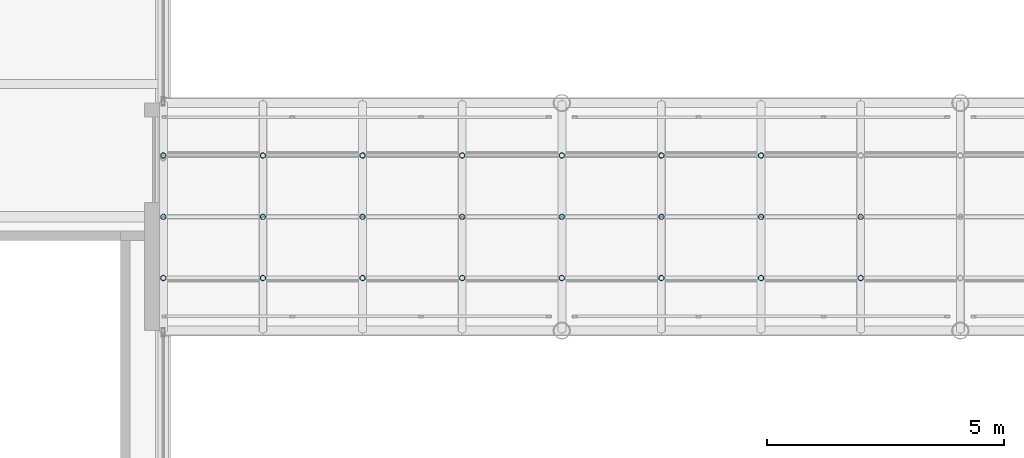
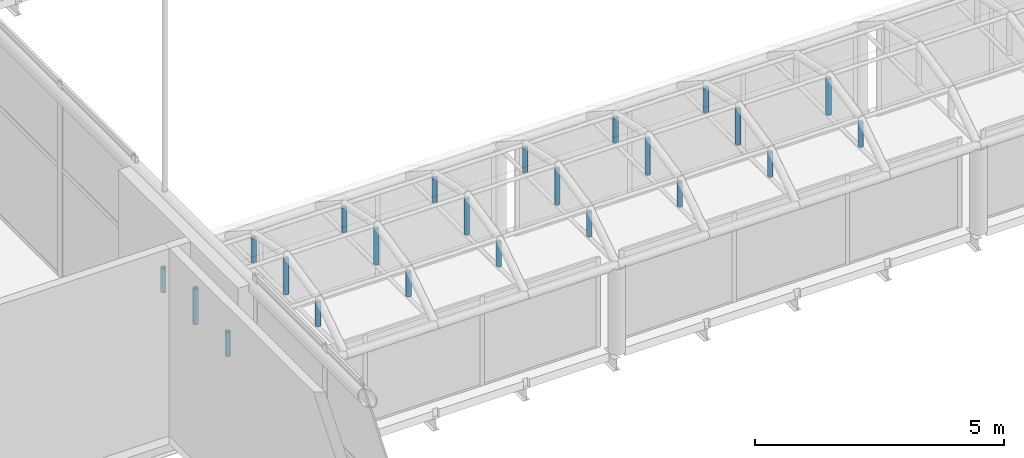
# One storey, part 133 of 167: 23 members.
"""IFC4 building model written with IfcOpenShell, lengths in metres."""

from ifc_helpers import new_model, si_unit, direction, frame, origin, origin_2d, place, context, subcontext, project, spatial, hollow_circle, extrude, material, material_profile, profile_set, type_object, element, save


model = new_model("IFC4")

# Units and contexts
model_context = context("Model", 3, precision=1e-05, world=origin(), true_north=direction((0.0, 1.0)))
body_context = subcontext(model_context, "Body", "Model", "MODEL_VIEW")
ifc_project = project(units=[si_unit("LENGTHUNIT", "METRE"), si_unit("AREAUNIT", "SQUARE_METRE"), si_unit("VOLUMEUNIT", "CUBIC_METRE"), si_unit("PLANEANGLEUNIT", "RADIAN"), si_unit("MASSUNIT", "GRAM", prefix="KILO")], contexts=[model_context])

# Site, building, storey
site_placement = place(None, origin())
site = spatial("IfcSite", under=ifc_project, at=site_placement, CompositionType="ELEMENT")
building_placement = place(site_placement, origin())
building = spatial("IfcBuilding", under=site, at=building_placement, Name="Catenary Quay Ferry Terminal", CompositionType="ELEMENT")
storey_placement = place(building_placement, frame((0.0, 0.0, 6.0)))
storey = spatial("IfcBuildingStorey", under=building, at=storey_placement, Name="L01", CompositionType="ELEMENT", Elevation=6.0)

# Members
ifc_material = material(Name="Steel S355", Category="steel")
ifc_material_profile = material_profile(ifc_material, hollow_circle(Radius=0.05712890625, WallThickness=0.00634765625, at=origin_2d()), Name="CHS 114.3x6.3")
ifc_profile_set = profile_set([ifc_material_profile], Name="Steel S355")
member_type = type_object("IfcMemberType", Name="HG1 CHS 114.3x6.3", PredefinedType="POST", material=ifc_profile_set)
member_1_placement = place(storey_placement, frame((92.39990234375, 74.30810546875, 2.14208984375), z_axis=(0.0, 0.0, 1.0), x_axis=(1.0, 0.0, 0.0)))
element("IfcMember", 1, at=member_1_placement, inside=storey, type_object=member_type, Name="Hanger RB1-01-01", PredefinedType="POST", context=body_context, shape_type="SweptSolid", body=[
    extrude(hollow_circle(Radius=0.05712890625, WallThickness=0.00634765625, at=origin_2d()), origin(), (0.0, 0.0, 1.0), 0.598876953125),
])
member_2_placement = place(storey_placement, frame((92.39990234375, 75.60009765625, 2.14208984375), z_axis=(0.0, 0.0, 1.0), x_axis=(1.0, 0.0, 0.0)))
element("IfcMember", 2, at=member_2_placement, inside=storey, type_object=member_type, Name="Hanger RB1-01-02", PredefinedType="POST", context=body_context, shape_type="SweptSolid", body=[
    extrude(hollow_circle(Radius=0.05712890625, WallThickness=0.00634765625, at=origin_2d()), origin(), (0.0, 0.0, 1.0), 0.8779296875),
])
for number, where, z_axis, x_axis, name in (
    (3, (92.39990234375, 76.89208984375, 2.14208984375), (0.0, 0.0, 1.0), (1.0, 0.0, 0.0), "Hanger RB1-01-03"),
    (4, (94.5, 74.30810546875, 2.14208984375), (0.0, 0.0, 1.0), (1.0, 0.0, 0.0), "Hanger RB1-02-01"),
):
    element("IfcMember", number, at=place(storey_placement, frame(where, z_axis=z_axis, x_axis=x_axis)), inside=storey, type_object=member_type, Name=name, PredefinedType="POST", context=body_context, shape_type="SweptSolid", body=[
        extrude(hollow_circle(Radius=0.05712890625, WallThickness=0.00634765625, at=origin_2d()), origin(), (0.0, 0.0, 1.0), 0.598876953125),
    ])
member_3_placement = place(storey_placement, frame((94.5, 75.60009765625, 2.14208984375), z_axis=(0.0, 0.0, 1.0), x_axis=(1.0, 0.0, 0.0)))
element("IfcMember", 5, at=member_3_placement, inside=storey, type_object=member_type, Name="Hanger RB1-02-02", PredefinedType="POST", context=body_context, shape_type="SweptSolid", body=[
    extrude(hollow_circle(Radius=0.05712890625, WallThickness=0.00634765625, at=origin_2d()), origin(), (0.0, 0.0, 1.0), 0.8779296875),
])
for number, where, z_axis, x_axis, name in (
    (6, (94.5, 76.89208984375, 2.14208984375), (0.0, 0.0, 1.0), (1.0, 0.0, 0.0), "Hanger RB1-02-03"),
    (7, (96.60009765625, 74.30810546875, 2.14208984375), (0.0, 0.0, 1.0), (1.0, 0.0, 0.0), "Hanger RB1-03-01"),
):
    element("IfcMember", number, at=place(storey_placement, frame(where, z_axis=z_axis, x_axis=x_axis)), inside=storey, type_object=member_type, Name=name, PredefinedType="POST", context=body_context, shape_type="SweptSolid", body=[
        extrude(hollow_circle(Radius=0.05712890625, WallThickness=0.00634765625, at=origin_2d()), origin(), (0.0, 0.0, 1.0), 0.598876953125),
    ])
member_4_placement = place(storey_placement, frame((96.60009765625, 75.60009765625, 2.14208984375), z_axis=(0.0, 0.0, 1.0), x_axis=(1.0, 0.0, 0.0)))
element("IfcMember", 8, at=member_4_placement, inside=storey, type_object=member_type, Name="Hanger RB1-03-02", PredefinedType="POST", context=body_context, shape_type="SweptSolid", body=[
    extrude(hollow_circle(Radius=0.05712890625, WallThickness=0.00634765625, at=origin_2d()), origin(), (0.0, 0.0, 1.0), 0.8779296875),
])
for number, where, z_axis, x_axis, name in (
    (9, (96.60009765625, 76.89208984375, 2.14208984375), (0.0, 0.0, 1.0), (1.0, 0.0, 0.0), "Hanger RB1-03-03"),
    (10, (98.699951171875, 74.30810546875, 2.14208984375), (0.0, 0.0, 1.0), (1.0, 0.0, 0.0), "Hanger RB1-04-01"),
):
    element("IfcMember", number, at=place(storey_placement, frame(where, z_axis=z_axis, x_axis=x_axis)), inside=storey, type_object=member_type, Name=name, PredefinedType="POST", context=body_context, shape_type="SweptSolid", body=[
        extrude(hollow_circle(Radius=0.05712890625, WallThickness=0.00634765625, at=origin_2d()), origin(), (0.0, 0.0, 1.0), 0.598876953125),
    ])
member_5_placement = place(storey_placement, frame((98.699951171875, 75.60009765625, 2.14208984375), z_axis=(0.0, 0.0, 1.0), x_axis=(1.0, 0.0, 0.0)))
element("IfcMember", 11, at=member_5_placement, inside=storey, type_object=member_type, Name="Hanger RB1-04-02", PredefinedType="POST", context=body_context, shape_type="SweptSolid", body=[
    extrude(hollow_circle(Radius=0.05712890625, WallThickness=0.00634765625, at=origin_2d()), origin(), (0.0, 0.0, 1.0), 0.8779296875),
])
for number, where, z_axis, x_axis, name in (
    (12, (98.699951171875, 76.89208984375, 2.14208984375), (0.0, 0.0, 1.0), (1.0, 0.0, 0.0), "Hanger RB1-04-03"),
    (13, (100.800048828125, 74.30810546875, 2.14208984375), (0.0, 0.0, 1.0), (1.0, 0.0, 0.0), "Hanger RB1-05-01"),
):
    element("IfcMember", number, at=place(storey_placement, frame(where, z_axis=z_axis, x_axis=x_axis)), inside=storey, type_object=member_type, Name=name, PredefinedType="POST", context=body_context, shape_type="SweptSolid", body=[
        extrude(hollow_circle(Radius=0.05712890625, WallThickness=0.00634765625, at=origin_2d()), origin(), (0.0, 0.0, 1.0), 0.598876953125),
    ])
member_6_placement = place(storey_placement, frame((100.800048828125, 75.60009765625, 2.14208984375), z_axis=(0.0, 0.0, 1.0), x_axis=(1.0, 0.0, 0.0)))
element("IfcMember", 14, at=member_6_placement, inside=storey, type_object=member_type, Name="Hanger RB1-05-02", PredefinedType="POST", context=body_context, shape_type="SweptSolid", body=[
    extrude(hollow_circle(Radius=0.05712890625, WallThickness=0.00634765625, at=origin_2d()), origin(), (0.0, 0.0, 1.0), 0.8779296875),
])
for number, where, z_axis, x_axis, name in (
    (15, (100.800048828125, 76.89208984375, 2.14208984375), (0.0, 0.0, 1.0), (1.0, 0.0, 0.0), "Hanger RB1-05-03"),
    (16, (102.89990234375, 74.30810546875, 2.14208984375), (0.0, 0.0, 1.0), (1.0, 0.0, 0.0), "Hanger RB1-06-01"),
):
    element("IfcMember", number, at=place(storey_placement, frame(where, z_axis=z_axis, x_axis=x_axis)), inside=storey, type_object=member_type, Name=name, PredefinedType="POST", context=body_context, shape_type="SweptSolid", body=[
        extrude(hollow_circle(Radius=0.05712890625, WallThickness=0.00634765625, at=origin_2d()), origin(), (0.0, 0.0, 1.0), 0.598876953125),
    ])
member_7_placement = place(storey_placement, frame((102.89990234375, 75.60009765625, 2.14208984375), z_axis=(0.0, 0.0, 1.0), x_axis=(1.0, 0.0, 0.0)))
element("IfcMember", 17, at=member_7_placement, inside=storey, type_object=member_type, Name="Hanger RB1-06-02", PredefinedType="POST", context=body_context, shape_type="SweptSolid", body=[
    extrude(hollow_circle(Radius=0.05712890625, WallThickness=0.00634765625, at=origin_2d()), origin(), (0.0, 0.0, 1.0), 0.8779296875),
])
for number, where, z_axis, x_axis, name in (
    (18, (102.89990234375, 76.89208984375, 2.14208984375), (0.0, 0.0, 1.0), (1.0, 0.0, 0.0), "Hanger RB1-06-03"),
    (19, (105.0, 74.30810546875, 2.14208984375), (0.0, 0.0, 1.0), (1.0, 0.0, 0.0), "Hanger RB1-07-01"),
):
    element("IfcMember", number, at=place(storey_placement, frame(where, z_axis=z_axis, x_axis=x_axis)), inside=storey, type_object=member_type, Name=name, PredefinedType="POST", context=body_context, shape_type="SweptSolid", body=[
        extrude(hollow_circle(Radius=0.05712890625, WallThickness=0.00634765625, at=origin_2d()), origin(), (0.0, 0.0, 1.0), 0.598876953125),
    ])
member_8_placement = place(storey_placement, frame((105.0, 75.60009765625, 2.14208984375), z_axis=(0.0, 0.0, 1.0), x_axis=(1.0, 0.0, 0.0)))
element("IfcMember", 20, at=member_8_placement, inside=storey, type_object=member_type, Name="Hanger RB1-07-02", PredefinedType="POST", context=body_context, shape_type="SweptSolid", body=[
    extrude(hollow_circle(Radius=0.05712890625, WallThickness=0.00634765625, at=origin_2d()), origin(), (0.0, 0.0, 1.0), 0.8779296875),
])
for number, where, z_axis, x_axis, name in (
    (21, (105.0, 76.89208984375, 2.14208984375), (0.0, 0.0, 1.0), (1.0, 0.0, 0.0), "Hanger RB1-07-03"),
    (22, (107.10009765625, 74.30810546875, 2.14208984375), (0.0, 0.0, 1.0), (1.0, 0.0, 0.0), "Hanger RB1-08-01"),
):
    element("IfcMember", number, at=place(storey_placement, frame(where, z_axis=z_axis, x_axis=x_axis)), inside=storey, type_object=member_type, Name=name, PredefinedType="POST", context=body_context, shape_type="SweptSolid", body=[
        extrude(hollow_circle(Radius=0.05712890625, WallThickness=0.00634765625, at=origin_2d()), origin(), (0.0, 0.0, 1.0), 0.598876953125),
    ])
member_9_placement = place(storey_placement, frame((107.10009765625, 75.60009765625, 2.14208984375), z_axis=(0.0, 0.0, 1.0), x_axis=(1.0, 0.0, 0.0)))
element("IfcMember", 23, at=member_9_placement, inside=storey, type_object=member_type, Name="Hanger RB1-08-02", PredefinedType="POST", context=body_context, shape_type="SweptSolid", body=[
    extrude(hollow_circle(Radius=0.05712890625, WallThickness=0.00634765625, at=origin_2d()), origin(), (0.0, 0.0, 1.0), 0.8779296875),
])

save(model, "model.ifc")
